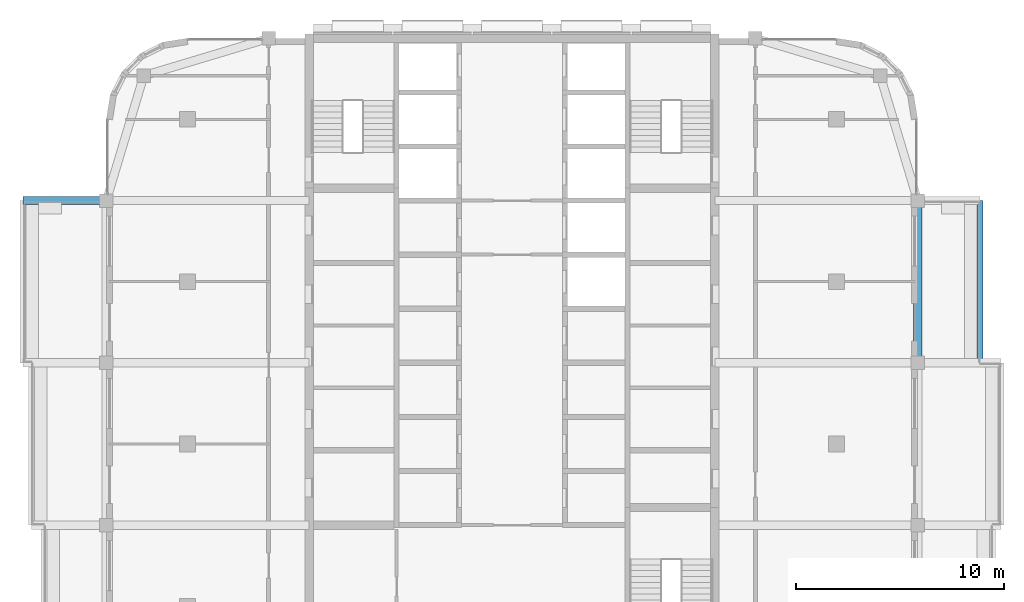
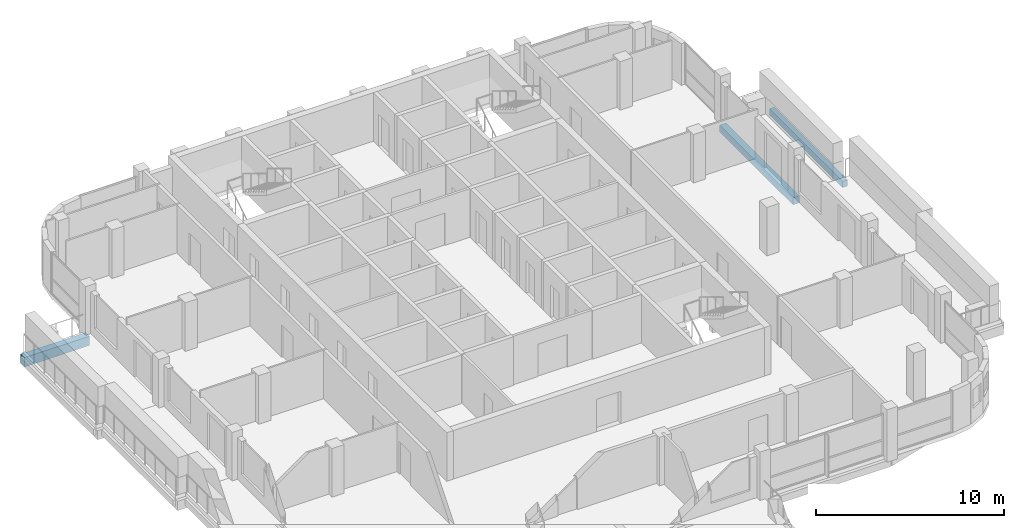
# One storey, part 6 of 19: 3 beams.
"""IFC4 building model written with IfcOpenShell, lengths in metres."""

from ifc_helpers import new_model, si_unit, direction, frame, origin, origin_2d, place, context, subcontext, project, spatial, rectangle, extrude, material, material_profile, profile_set, type_object, element, save


model = new_model("IFC4")

# Units and contexts
model_context = context("Model", 3, precision=1e-05, world=origin(), true_north=direction((0.0, 1.0)))
body_context = subcontext(model_context, "Body", "Model", "MODEL_VIEW")
ifc_project = project(units=[si_unit("LENGTHUNIT", "METRE"), si_unit("AREAUNIT", "SQUARE_METRE"), si_unit("VOLUMEUNIT", "CUBIC_METRE"), si_unit("PLANEANGLEUNIT", "RADIAN"), si_unit("MASSUNIT", "GRAM", prefix="KILO")], contexts=[model_context])

# Site, building, storey
site_placement = place(None, origin())
site = spatial("IfcSite", under=ifc_project, at=site_placement, CompositionType="ELEMENT")
building_placement = place(site_placement, origin())
building = spatial("IfcBuilding", under=site, at=building_placement, Name="Ludao Terraces", CompositionType="ELEMENT")
storey_placement = place(building_placement, frame((0.0, 0.0, 256.199951171875)))
storey = spatial("IfcBuildingStorey", under=building, at=storey_placement, Name="L70", CompositionType="ELEMENT", Elevation=256.199951171875)

# Beams
ifc_material = material(Name="Concrete C40", Category="concrete")
ifc_material_profile_1 = material_profile(ifc_material, rectangle(XDim=0.300048828125, YDim=0.39990234375, at=origin_2d()), Name="300 X 400")
ifc_profile_set_1 = profile_set([ifc_material_profile_1], Name="Concrete C40")
beam_type_1 = type_object("IfcBeamType", Name="RC beam 300x400 C40", PredefinedType="BEAM", material=ifc_profile_set_1)
beam_1_placement = place(storey_placement, frame((107.5, 68.89990234375, -0.449951171875), z_axis=(0.0, 1.0, 0.0), x_axis=(-1.0, 0.0, 0.0)))
element("IfcBeam", 1, at=beam_1_placement, inside=storey, type_object=beam_type_1, Name="Balcony edge beam L70 E3", PredefinedType="BEAM", context=body_context, shape_type="SweptSolid", body=[
    extrude(rectangle(XDim=0.300048828125, YDim=0.39990234375, at=origin_2d()), origin(), (0.0, 0.0, 1.0), 7.800048828125),
])
ifc_material_profile_2 = material_profile(ifc_material, rectangle(XDim=0.39990234375, YDim=0.449951171875, at=origin_2d()), Name="400 X 450")
ifc_profile_set_2 = profile_set([ifc_material_profile_2], Name="Concrete C40")
beam_type_2 = type_object("IfcBeamType", Name="RC beam 400x450 C40", PredefinedType="BEAM", material=ifc_profile_set_2)
beam_2_placement = place(storey_placement, frame((104.5, 68.89990234375, -0.474853515625), z_axis=(0.0, 1.0, 0.0), x_axis=(-1.0, 0.0, 0.0)))
element("IfcBeam", 2, at=beam_2_placement, inside=storey, type_object=beam_type_2, Name="Spandrel beam L70 E16", PredefinedType="BEAM", context=body_context, shape_type="SweptSolid", body=[
    extrude(rectangle(XDim=0.39990234375, YDim=0.449951171875, at=origin_2d()), origin(), (0.0, 0.0, 1.0), 7.800048828125),
])
ifc_material_profile_3 = material_profile(ifc_material, rectangle(XDim=0.39990234375, YDim=0.60009765625, at=origin_2d()), Name="400 X 600")
ifc_profile_set_3 = profile_set([ifc_material_profile_3], Name="Concrete C40")
beam_type_3 = type_object("IfcBeamType", Name="RC beam 400x600 C40", PredefinedType="BEAM", material=ifc_profile_set_3)
beam_3_placement = place(storey_placement, frame((65.5, 76.699951171875, -0.550048828125), z_axis=(-1.0, 0.0, 0.0), x_axis=(0.0, -1.0, 0.0)))
element("IfcBeam", 3, at=beam_3_placement, inside=storey, type_object=beam_type_3, Name="Balcony beam L70 W767", PredefinedType="BEAM", context=body_context, shape_type="SweptSolid", body=[
    extrude(rectangle(XDim=0.39990234375, YDim=0.60009765625, at=origin_2d()), origin(), (0.0, 0.0, 1.0), 4.0),
])

save(model, "model.ifc")
